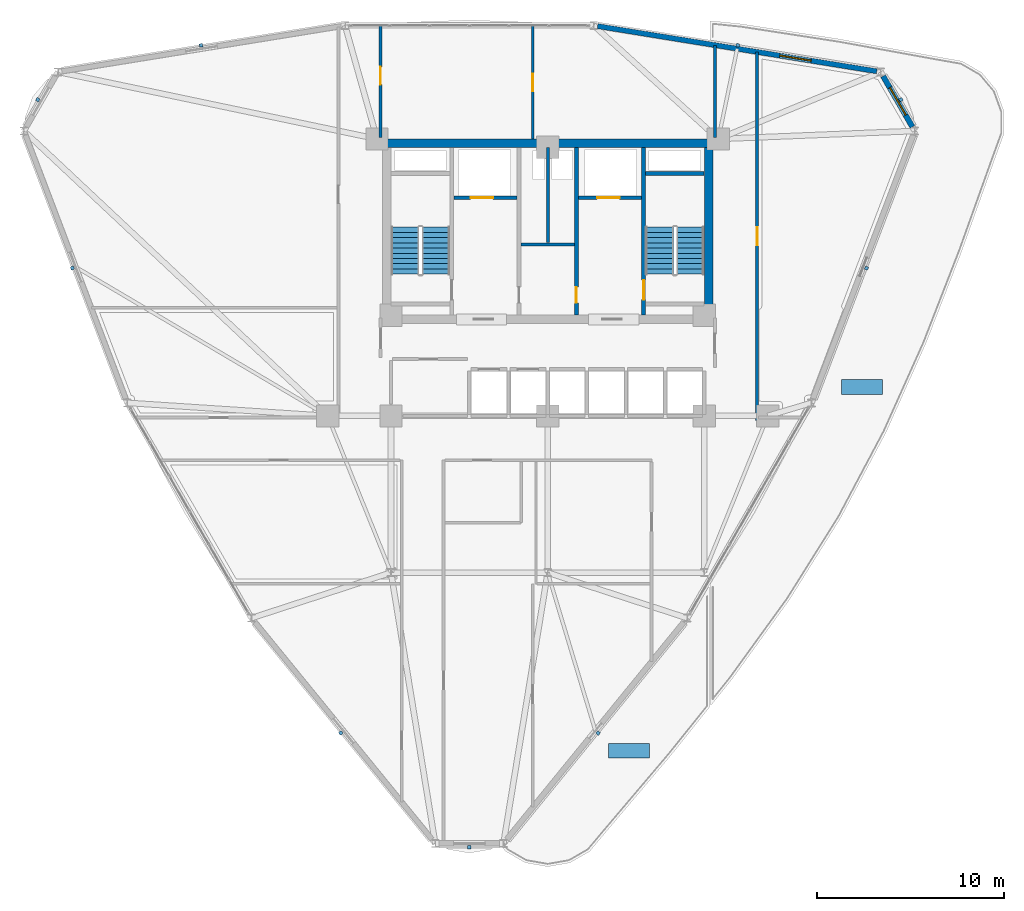
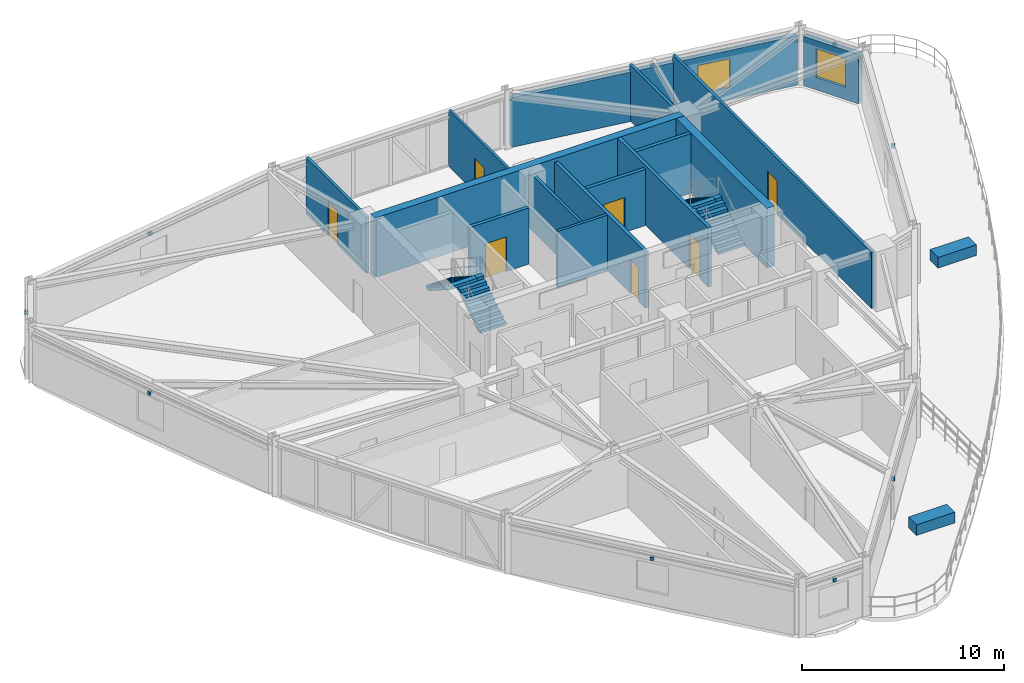
# One storey, part 14 of 18: 15 walls, 11 discrete accessories, 7 doors, 4 stair flights, 2 windows, 9 openings, 2 elements without a shape of their own.
"""IFC4 building model written with IfcOpenShell, lengths in metres."""

from ifc_helpers import new_model, si_unit, derived_unit, direction, frame, frame_2d, origin, origin_2d, place, context, subcontext, project, spatial, polyline, rectangle, outline, extrude, source, transform, mapped, material, layer, layer_set, type_object, element, fill, aggregate, save


model = new_model("IFC4")

# Units and contexts
model_context = context("Model", 3, precision=1e-05, world=origin(), true_north=direction((0.0, 1.0)))
body_context = subcontext(model_context, "Body", "Model", "MODEL_VIEW")
ifc_project = project(units=[si_unit("LENGTHUNIT", "METRE"), si_unit("AREAUNIT", "SQUARE_METRE"), si_unit("VOLUMEUNIT", "CUBIC_METRE"), si_unit("PLANEANGLEUNIT", "RADIAN"), si_unit("MASSUNIT", "GRAM", prefix="KILO"), derived_unit("THERMALTRANSMITTANCEUNIT", [(si_unit("POWERUNIT", "WATT"), 1), (si_unit("LENGTHUNIT", "METRE"), -2), (si_unit("THERMODYNAMICTEMPERATUREUNIT", "KELVIN"), -1)])], contexts=[model_context])

# Site, building, storey
site_placement = place(None, origin())
site = spatial("IfcSite", under=ifc_project, at=site_placement, CompositionType="ELEMENT")
building_placement = place(site_placement, origin())
building = spatial("IfcBuilding", under=site, at=building_placement, Name="Korsvarv Bourse and Concert Hall", CompositionType="ELEMENT")
storey_placement = place(building_placement, frame((0.0, 0.0, 136.199951171875)))
storey = spatial("IfcBuildingStorey", under=building, at=storey_placement, Name="L34", CompositionType="ELEMENT", Elevation=136.199951171875)

# Wall, opening, door
ifc_material_1 = material(Name="Concrete C50/60", Category="concrete")
ifc_layer_1 = layer(ifc_material_1, 0.3798828125)
ifc_layer_set_1 = layer_set([ifc_layer_1], Name="Concrete C50/60")
wall_type_1 = type_object("IfcWallType", Name="WL-CORE-380", PredefinedType="SHEAR", material=ifc_layer_set_1)
wall_1_placement = place(storey_placement, frame((41.139892578125, 37.81005859375, 0.0), z_axis=(0.0, 0.0, 1.0), x_axis=(0.0, 1.0, 0.0)))
wall_1 = element("IfcWall", 1, at=wall_1_placement, inside=storey, type_object=wall_type_1, Name="L34 stair shaft structural wall W-L34-ST2-W", PredefinedType="SHEAR", context=body_context, shape_type="SweptSolid", body=[
    extrude(rectangle(XDim=8.97998046875, YDim=0.199951171875, at=frame_2d((4.489990234375, 0.0))), origin(), (0.0, 0.0, 1.0), 3.60009765625),
])
opening_1_placement = place(wall_1_placement, frame((0.820068359375, 0.0, 0.0)))
opening_1 = element("IfcOpeningElement", 2, at=opening_1_placement, cuts=wall_1, Name="Opening D-01", PredefinedType="OPENING", context=body_context, shape_type="SweptSolid", body=[
    extrude(rectangle(XDim=1.050048828125, YDim=2.10009765625, at=frame_2d((0.52490234375, 1.050048828125))), frame((0.0, 0.10986328125, 0.0), z_axis=(0.0, -1.0, 0.0), x_axis=(1.0, 0.0, 0.0)), (0.0, 0.0, 1.0), 0.219970703125),
])
ifc_material_2 = material(Name="Steel S355 fire door", Category="steel")
door_type_1 = type_object("IfcDoorType", Name="DR-FD60", OperationType="NOTDEFINED", PredefinedType="DOOR", material=ifc_material_2)
door_1_placement = place(opening_1_placement, frame((1.050048828125, 0.0, 0.0), z_axis=(0.0, 0.0, 1.0), x_axis=(-1.0, 0.0, 0.0)))
door_1 = element("IfcDoor", 3, at=door_1_placement, inside=storey, type_object=door_type_1, Name="L34 interior door DR-L34-ST2", OperationType="SINGLE_SWING_RIGHT", OverallHeight=2.10009765625, OverallWidth=1.050048828125, PredefinedType="DOOR", context=body_context, shape_type="SweptSolid", body=[
    extrude(rectangle(XDim=1.050048828125, YDim=2.10009765625, at=frame_2d((0.52490234375, 1.050048828125))), frame((0.0, 0.02490234375, 0.0), z_axis=(0.0, -1.0, 0.0), x_axis=(1.0, 0.0, 0.0)), (0.0, 0.0, 1.0), 0.050048828125),
])
fill(opening_1, door_1)

# Walls
wall_2_placement = place(storey_placement, frame((41.25, 45.39990234375, 0.0), z_axis=(0.0, 0.0, 1.0), x_axis=(1.0, 0.0, 0.0)))
element("IfcWall", 4, at=wall_2_placement, inside=storey, type_object=wall_type_1, Name="L34 stair shaft structural wall W-L34-ST2-N", PredefinedType="SHEAR", context=body_context, shape_type="SweptSolid", body=[
    extrude(rectangle(XDim=3.139892578125, YDim=0.199951171875, at=frame_2d((1.56982421875, 0.0))), origin(), (0.0, 0.0, 1.0), 3.60009765625),
])
ifc_material_3 = material(Name="Concrete C55/67", Category="concrete")
ifc_layer_2 = layer(ifc_material_3, 0.449951171875)
ifc_layer_set_2 = layer_set([ifc_layer_2], Name="Concrete C55/67")
wall_type_2 = type_object("IfcWallType", Name="WL-CORE-450", PredefinedType="SHEAR", material=ifc_layer_set_2)
wall_3_placement = place(storey_placement, frame((27.14990234375, 47.02490234375, 0.0), z_axis=(0.0, 0.0, 1.0), x_axis=(1.0, 0.0, 0.0)))
element("IfcWall", 5, at=wall_3_placement, inside=storey, type_object=wall_type_2, Name="L34 North Core Shear Wall", PredefinedType="SHEAR", context=body_context, shape_type="SweptSolid", body=[
    extrude(rectangle(XDim=17.7001953125, YDim=0.449951171875, at=frame_2d((8.85009765625, 0.0))), origin(), (0.0, 0.0, 1.0), 3.60009765625),
])
wall_4_placement = place(storey_placement, frame((44.625, 37.800048828125, 0.0), z_axis=(0.0, 0.0, 1.0), x_axis=(0.0, 1.0, 0.0)))
element("IfcWall", 6, at=wall_4_placement, inside=storey, type_object=wall_type_2, Name="L34 East Core Shear Wall", PredefinedType="SHEAR", context=body_context, shape_type="SweptSolid", body=[
    extrude(rectangle(XDim=9.0, YDim=0.449951171875, at=frame_2d((4.5, 0.0))), origin(), (0.0, 0.0, 1.0), 3.60009765625),
])

# Wall, opening, window
ifc_material_4 = material(Name="Precast concrete C45/55 with terracotta rainscreen", Category="concrete")
ifc_layer_3 = layer(ifc_material_4, 0.300048828125)
ifc_layer_set_3 = layer_set([ifc_layer_3], Name="Precast concrete C45/55 with terracotta rainscreen")
wall_type_3 = type_object("IfcWallType", Name="WL-EXT-TC1", PredefinedType="SOLIDWALL", material=ifc_layer_set_3)
wall_5_placement = place(storey_placement, frame((55.5576171875, 47.900390625, 0.0), z_axis=(0.0, 0.0, 1.0), x_axis=(-0.499937459732, 0.866061508414, 0.0)))
wall_5 = element("IfcWall", 7, at=wall_5_placement, inside=storey, type_object=wall_type_3, Name="L34 terracotta exterior wall EW-L34-B01", PredefinedType="SOLIDWALL", context=body_context, shape_type="SweptSolid", body=[
    extrude(rectangle(XDim=3.1455078125, YDim=0.300048828125, at=frame_2d((1.57275390625, 0.0))), origin(), (0.0, 0.0, 1.0), 3.0),
])
opening_2_placement = place(wall_5_placement, frame((0.72265625, 0.0, 0.75)))
opening_2 = element("IfcOpeningElement", 8, at=opening_2_placement, cuts=wall_5, Name="Opening W-01", PredefinedType="OPENING", context=body_context, shape_type="SweptSolid", body=[
    extrude(rectangle(XDim=1.699951171875, YDim=1.75, at=frame_2d((0.85009765625, 0.875))), frame((0.0, 0.16015625, 0.0), z_axis=(0.0, -1.0, 0.0), x_axis=(1.0, 0.0, 0.0)), (0.0, 0.0, 1.0), 0.320068359375),
])
ifc_material_5 = material(Name="Thermally broken aluminium frame with triple low-E glass", Category="glass")
window_type = type_object("IfcWindowType", Name="WIN-TW1", PartitioningType="SINGLE_PANEL", PredefinedType="WINDOW", material=ifc_material_5)
window_1_placement = place(opening_2_placement, origin())
window_1 = element("IfcWindow", 9, at=window_1_placement, inside=storey, type_object=window_type, Name="L34 punched facade window W-01", OverallHeight=1.75, OverallWidth=1.699951171875, PartitioningType="SINGLE_PANEL", PredefinedType="WINDOW", context=body_context, shape_type="SweptSolid", body=[
    extrude(rectangle(XDim=1.699951171875, YDim=1.75, at=frame_2d((0.85009765625, 0.875))), frame((0.0, 0.030029296875, 0.0), z_axis=(0.0, -1.0, 0.0), x_axis=(1.0, 0.0, 0.0)), (0.0, 0.0, 1.0), 0.06005859375),
])
fill(opening_2, window_1)

ifc_material_6 = material(Name="Precast concrete C45/55 with fluted terracotta pier", Category="concrete")
ifc_layer_4 = layer(ifc_material_6, 0.280029296875)
ifc_layer_set_4 = layer_set([ifc_layer_4], Name="Precast concrete C45/55 with fluted terracotta pier")
wall_type_4 = type_object("IfcWallType", Name="WL-EXT-TC2", PredefinedType="SOLIDWALL", material=ifc_layer_set_4)
wall_6_placement = place(storey_placement, frame((53.6455078125, 50.881103515625, 0.0), z_axis=(0.0, 0.0, 1.0), x_axis=(-0.987165905884, 0.159698072185, 0.0)))
wall_6 = element("IfcWall", 10, at=wall_6_placement, inside=storey, type_object=wall_type_4, Name="L34 terracotta exterior wall EW-L34-B02", PredefinedType="SOLIDWALL", context=body_context, shape_type="SweptSolid", body=[
    extrude(rectangle(XDim=15.165283203125, YDim=0.280029296875, at=frame_2d((7.58251953125, 0.0))), origin(), (0.0, 0.0, 1.0), 3.0),
])
opening_3_placement = place(wall_6_placement, frame((3.56640625, 0.0, 0.75)))
opening_3 = element("IfcOpeningElement", 11, at=opening_3_placement, cuts=wall_6, Name="Opening W-01", PredefinedType="OPENING", context=body_context, shape_type="SweptSolid", body=[
    extrude(rectangle(XDim=1.699951171875, YDim=1.75, at=frame_2d((0.85009765625, 0.875))), frame((0.0, 0.14990234375, 0.0), z_axis=(0.0, -1.0, 0.0), x_axis=(1.0, 0.0, 0.0)), (0.0, 0.0, 1.0), 0.300048828125),
])
window_2_placement = place(opening_3_placement, origin())
window_2 = element("IfcWindow", 12, at=window_2_placement, inside=storey, type_object=window_type, Name="L34 punched facade window W-01", OverallHeight=1.75, OverallWidth=1.699951171875, PartitioningType="SINGLE_PANEL", PredefinedType="WINDOW", context=body_context, shape_type="SweptSolid", body=[
    extrude(rectangle(XDim=1.699951171875, YDim=1.75, at=frame_2d((0.85009765625, 0.875))), frame((0.0, 0.030029296875, 0.0), z_axis=(0.0, -1.0, 0.0), x_axis=(1.0, 0.0, 0.0)), (0.0, 0.0, 1.0), 0.06005859375),
])
fill(opening_3, window_2)

# Wall, opening, door
ifc_material_7 = material(Name="Reinforced concrete blockwork C35/45 fire wall", Category="concrete")
ifc_layer_5 = layer(ifc_material_7, 0.199951171875)
ifc_layer_set_5 = layer_set([ifc_layer_5], Name="Reinforced concrete blockwork C35/45 fire wall")
wall_type_5 = type_object("IfcWallType", Name="WL-INT-EI120", PredefinedType="PARTITIONING", material=ifc_layer_set_5)
wall_7_placement = place(storey_placement, frame((30.969970703125, 44.10009765625, 0.0), z_axis=(0.0, 0.0, 1.0), x_axis=(1.0, 0.0, 0.0)))
wall_7 = element("IfcWall", 13, at=wall_7_placement, inside=storey, type_object=wall_type_5, Name="L34 interior partition wall W-L34-FF1-S", PredefinedType="PARTITIONING", context=body_context, shape_type="SweptSolid", body=[
    extrude(rectangle(XDim=3.380126953125, YDim=0.199951171875, at=frame_2d((1.68994140625, 0.0))), origin(), (0.0, 0.0, 1.0), 3.400146484375),
])
opening_4_placement = place(wall_7_placement, frame((0.89990234375, 0.0, 0.0)))
opening_4 = element("IfcOpeningElement", 14, at=opening_4_placement, cuts=wall_7, Name="Opening LD-1", PredefinedType="OPENING", context=body_context, shape_type="SweptSolid", body=[
    extrude(rectangle(XDim=1.199951171875, YDim=2.10009765625, at=frame_2d((0.60009765625, 1.050048828125))), frame((0.0, 0.10986328125, 0.0), z_axis=(0.0, -1.0, 0.0), x_axis=(1.0, 0.0, 0.0)), (0.0, 0.0, 1.0), 0.219970703125),
])
ifc_material_8 = material(Name="Stainless Steel S355 firefighting lift landing door", Category="steel")
door_type_2 = type_object("IfcDoorType", Name="DR-LIFT-FF", OperationType="DOUBLE_DOOR_SLIDING", PredefinedType="DOOR", material=ifc_material_8)
door_2_placement = place(opening_4_placement, origin())
door_2 = element("IfcDoor", 15, at=door_2_placement, inside=storey, type_object=door_type_2, Name="L34 lift sliding landing door LD-L34-FF1", OperationType="DOUBLE_DOOR_SLIDING", OverallHeight=2.10009765625, OverallWidth=1.199951171875, PredefinedType="DOOR", context=body_context, shape_type="SweptSolid", body=[
    extrude(rectangle(XDim=1.199951171875, YDim=2.10009765625, at=frame_2d((0.60009765625, 1.050048828125))), frame((0.0, 0.02490234375, 0.0), z_axis=(0.0, -1.0, 0.0), x_axis=(1.0, 0.0, 0.0)), (0.0, 0.0, 1.0), 0.050048828125),
])
fill(opening_4, door_2)

wall_8_placement = place(storey_placement, frame((37.64990234375, 44.10009765625, 0.0), z_axis=(0.0, 0.0, 1.0), x_axis=(1.0, 0.0, 0.0)))
wall_8 = element("IfcWall", 16, at=wall_8_placement, inside=storey, type_object=wall_type_5, Name="L34 interior partition wall W-L34-FF2-S", PredefinedType="PARTITIONING", context=body_context, shape_type="SweptSolid", body=[
    extrude(rectangle(XDim=3.380126953125, YDim=0.199951171875, at=frame_2d((1.68994140625, 0.0))), origin(), (0.0, 0.0, 1.0), 3.400146484375),
])
opening_5_placement = place(wall_8_placement, frame((1.0, 0.0, 0.0)))
opening_5 = element("IfcOpeningElement", 17, at=opening_5_placement, cuts=wall_8, Name="Opening LD-1", PredefinedType="OPENING", context=body_context, shape_type="SweptSolid", body=[
    extrude(rectangle(XDim=1.199951171875, YDim=2.10009765625, at=frame_2d((0.60009765625, 1.050048828125))), frame((0.0, 0.10986328125, 0.0), z_axis=(0.0, -1.0, 0.0), x_axis=(1.0, 0.0, 0.0)), (0.0, 0.0, 1.0), 0.219970703125),
])
door_3_placement = place(opening_5_placement, origin())
door_3 = element("IfcDoor", 18, at=door_3_placement, inside=storey, type_object=door_type_2, Name="L34 lift sliding landing door LD-L34-FF2", OperationType="DOUBLE_DOOR_SLIDING", OverallHeight=2.10009765625, OverallWidth=1.199951171875, PredefinedType="DOOR", context=body_context, shape_type="SweptSolid", body=[
    extrude(rectangle(XDim=1.199951171875, YDim=2.10009765625, at=frame_2d((0.60009765625, 1.050048828125))), frame((0.0, 0.02490234375, 0.0), z_axis=(0.0, -1.0, 0.0), x_axis=(1.0, 0.0, 0.0)), (0.0, 0.0, 1.0), 0.050048828125),
])
fill(opening_5, door_3)

wall_9_placement = place(storey_placement, frame((37.5400390625, 37.81005859375, 0.0), z_axis=(0.0, 0.0, 1.0), x_axis=(0.0, 1.0, 0.0)))
wall_9 = element("IfcWall", 19, at=wall_9_placement, inside=storey, type_object=wall_type_5, Name="L34 interior partition wall W-L34-CSB-E", PredefinedType="PARTITIONING", context=body_context, shape_type="SweptSolid", body=[
    extrude(rectangle(XDim=8.97998046875, YDim=0.199951171875, at=frame_2d((4.489990234375, 0.0))), origin(), (0.0, 0.0, 1.0), 3.400146484375),
])
opening_6_placement = place(wall_9_placement, frame((0.64990234375, 0.0, 0.0)))
opening_6 = element("IfcOpeningElement", 20, at=opening_6_placement, cuts=wall_9, Name="Opening D-05", PredefinedType="OPENING", context=body_context, shape_type="SweptSolid", body=[
    extrude(rectangle(XDim=0.85009765625, YDim=2.050048828125, at=frame_2d((0.425048828125, 1.02490234375))), frame((0.0, 0.10986328125, 0.0), z_axis=(0.0, -1.0, 0.0), x_axis=(1.0, 0.0, 0.0)), (0.0, 0.0, 1.0), 0.219970703125),
])
door_type_3 = type_object("IfcDoorType", Name="DR-FD60-850X2050", OperationType="NOTDEFINED", PredefinedType="DOOR", material=ifc_material_2)
door_4_placement = place(opening_6_placement, origin())
door_4 = element("IfcDoor", 21, at=door_4_placement, inside=storey, type_object=door_type_3, Name="L34 interior door DR-L34-CSB2", OperationType="SINGLE_SWING_RIGHT", OverallHeight=2.050048828125, OverallWidth=0.85009765625, PredefinedType="DOOR", context=body_context, shape_type="SweptSolid", body=[
    extrude(rectangle(XDim=0.85009765625, YDim=2.050048828125, at=frame_2d((0.425048828125, 1.02490234375))), frame((0.0, 0.02490234375, 0.0), z_axis=(0.0, -1.0, 0.0), x_axis=(1.0, 0.0, 0.0)), (0.0, 0.0, 1.0), 0.050048828125),
])
fill(opening_6, door_4)

# Walls
ifc_material_9 = material(Name="Double-stud fire-rated acoustic partition", Category="gypsum")
ifc_layer_6 = layer(ifc_material_9, 0.159912109375)
ifc_layer_set_6 = layer_set([ifc_layer_6], Name="Double-stud fire-rated acoustic partition")
wall_type_6 = type_object("IfcWallType", Name="WL-INT-EI60", PredefinedType="PARTITIONING", material=ifc_layer_set_6)
wall_10_placement = place(storey_placement, frame((34.570068359375, 41.60009765625, 0.0), z_axis=(0.0, 0.0, 1.0), x_axis=(1.0, 0.0, 0.0)))
element("IfcWall", 22, at=wall_10_placement, inside=storey, type_object=wall_type_6, Name="L34 interior partition wall W-L34-K1", PredefinedType="PARTITIONING", context=body_context, shape_type="SweptSolid", body=[
    extrude(rectangle(XDim=2.85986328125, YDim=0.159912109375, at=frame_2d((1.429931640625, 0.0))), origin(), (0.0, 0.0, 1.0), 3.400146484375),
])
wall_11_placement = place(storey_placement, frame((36.0048828125, 41.68994140625, 0.0), z_axis=(0.0, 0.0, 1.0), x_axis=(0.0, 1.0, 0.0)))
element("IfcWall", 23, at=wall_11_placement, inside=storey, type_object=wall_type_6, Name="L34 interior partition wall W-L34-K2", PredefinedType="PARTITIONING", context=body_context, shape_type="SweptSolid", body=[
    extrude(rectangle(XDim=5.10009765625, YDim=0.159912109375, at=frame_2d((2.550048828125, 0.0))), origin(), (0.0, 0.0, 1.0), 3.400146484375),
])

# Wall, opening, door
wall_12_placement = place(storey_placement, frame((47.22509765625, 32.159912109375, 0.0), z_axis=(0.0, 0.0, 1.0), x_axis=(0.0, 1.0, 0.0)))
wall_12 = element("IfcWall", 24, at=wall_12_placement, inside=storey, type_object=wall_type_6, Name="L34 interior partition wall W-L34-TCOR-03", PredefinedType="PARTITIONING", context=body_context, shape_type="SweptSolid", body=[
    extrude(rectangle(XDim=19.73974609375, YDim=0.159912109375, at=frame_2d((9.869873046875, 0.0))), origin(), (0.0, 0.0, 1.0), 3.400146484375),
])
opening_7_placement = place(wall_12_placement, frame((9.39501953125, 0.0, 0.0)))
opening_7 = element("IfcOpeningElement", 25, at=opening_7_placement, cuts=wall_12, Name="Opening D-02", PredefinedType="OPENING", context=body_context, shape_type="SweptSolid", body=[
    extrude(rectangle(XDim=0.949951171875, YDim=2.050048828125, at=frame_2d((0.47509765625, 1.02490234375))), frame((0.0, 0.08984375, 0.0), z_axis=(0.0, -1.0, 0.0), x_axis=(1.0, 0.0, 0.0)), (0.0, 0.0, 1.0), 0.179931640625),
])
ifc_material_10 = material(Name="Timber and steel acoustic fire door", Category="wood")
door_type_4 = type_object("IfcDoorType", Name="DR-FD30", OperationType="NOTDEFINED", PredefinedType="DOOR", material=ifc_material_10)
door_5_placement = place(opening_7_placement, origin())
door_5 = element("IfcDoor", 26, at=door_5_placement, inside=storey, type_object=door_type_4, Name="L34 interior door DR-L34-TCOR-MI81", OperationType="SINGLE_SWING_RIGHT", OverallHeight=2.050048828125, OverallWidth=0.949951171875, PredefinedType="DOOR", context=body_context, shape_type="SweptSolid", body=[
    extrude(rectangle(XDim=0.949951171875, YDim=2.050048828125, at=frame_2d((0.47509765625, 1.02490234375))), frame((0.0, 0.02490234375, 0.0), z_axis=(0.0, -1.0, 0.0), x_axis=(1.0, 0.0, 0.0)), (0.0, 0.0, 1.0), 0.050048828125),
])
fill(opening_7, door_5)

wall_13_placement = place(storey_placement, frame((27.034912109375, 47.340087890625, 0.0), z_axis=(0.0, 0.0, 1.0), x_axis=(0.0, 1.0, 0.0)))
wall_13 = element("IfcWall", 27, at=wall_13_placement, inside=storey, type_object=wall_type_6, Name="L34 interior partition wall W-L34-TCOR-09", PredefinedType="PARTITIONING", context=body_context, shape_type="SweptSolid", body=[
    extrude(rectangle(XDim=5.976806640625, YDim=0.159912109375, at=frame_2d((2.98828125, 0.0))), origin(), (0.0, 0.0, 1.0), 3.400146484375),
])
opening_8_placement = place(wall_13_placement, frame((2.826904296875, 0.0, 0.0)))
opening_8 = element("IfcOpeningElement", 28, at=opening_8_placement, cuts=wall_13, Name="Opening D-02", PredefinedType="OPENING", context=body_context, shape_type="SweptSolid", body=[
    extrude(rectangle(XDim=0.949951171875, YDim=2.050048828125, at=frame_2d((0.47509765625, 1.02490234375))), frame((0.0, 0.08984375, 0.0), z_axis=(0.0, -1.0, 0.0), x_axis=(1.0, 0.0, 0.0)), (0.0, 0.0, 1.0), 0.179931640625),
])
door_6_placement = place(opening_8_placement, origin())
door_6 = element("IfcDoor", 29, at=door_6_placement, inside=storey, type_object=door_type_4, Name="L34 interior door DR-L34-TCOR-RM22", OperationType="SINGLE_SWING_RIGHT", OverallHeight=2.050048828125, OverallWidth=0.949951171875, PredefinedType="DOOR", context=body_context, shape_type="SweptSolid", body=[
    extrude(rectangle(XDim=0.949951171875, YDim=2.050048828125, at=frame_2d((0.47509765625, 1.02490234375))), frame((0.0, 0.02490234375, 0.0), z_axis=(0.0, -1.0, 0.0), x_axis=(1.0, 0.0, 0.0)), (0.0, 0.0, 1.0), 0.050048828125),
])
fill(opening_8, door_6)

# Wall
wall_14_placement = place(storey_placement, frame((44.965087890625, 47.340087890625, 0.0), z_axis=(0.0, 0.0, 1.0), x_axis=(0.0, 1.0, 0.0)))
element("IfcWall", 30, at=wall_14_placement, inside=storey, type_object=wall_type_6, Name="L34 interior partition wall W-L34-TCOR-10", PredefinedType="PARTITIONING", context=body_context, shape_type="SweptSolid", body=[
    extrude(rectangle(XDim=4.92529296875, YDim=0.159912109375, at=frame_2d((2.462646484375, 0.0))), origin(), (0.0, 0.0, 1.0), 3.400146484375),
])

# Wall, opening, door
ifc_material_11 = material(Name="Insulated steel-stud office acoustic partition", Category="gypsum")
ifc_layer_7 = layer(ifc_material_11, 0.139892578125)
ifc_layer_set_7 = layer_set([ifc_layer_7], Name="Insulated steel-stud office acoustic partition")
wall_type_7 = type_object("IfcWallType", Name="WL-INT-P1", PredefinedType="PARTITIONING", material=ifc_layer_set_7)
wall_15_placement = place(storey_placement, frame((35.205078125, 47.251953125, 0.0), z_axis=(0.0, 0.0, 1.0), x_axis=(0.0, 1.0, 0.0)))
wall_15 = element("IfcWall", 31, at=wall_15_placement, inside=storey, type_object=wall_type_7, Name="L34 interior partition wall W-L34-TCOR-17", PredefinedType="PARTITIONING", context=body_context, shape_type="SweptSolid", body=[
    extrude(rectangle(XDim=6.06494140625, YDim=0.139892578125, at=frame_2d((3.032470703125, 0.0))), origin(), (0.0, 0.0, 1.0), 3.400146484375),
])
opening_9_placement = place(wall_15_placement, frame((2.5576171875, 0.0, 0.0)))
opening_9 = element("IfcOpeningElement", 32, at=opening_9_placement, cuts=wall_15, Name="Opening D-03", PredefinedType="OPENING", context=body_context, shape_type="SweptSolid", body=[
    extrude(rectangle(XDim=0.949951171875, YDim=2.050048828125, at=frame_2d((0.47509765625, 1.02490234375))), frame((0.0, 0.080078125, 0.0), z_axis=(0.0, -1.0, 0.0), x_axis=(1.0, 0.0, 0.0)), (0.0, 0.0, 1.0), 0.159912109375),
])
ifc_material_12 = material(Name="Nordic oak acoustic office door", Category="wood")
door_type_5 = type_object("IfcDoorType", Name="DR-INT-1", OperationType="NOTDEFINED", PredefinedType="DOOR", material=ifc_material_12)
door_7_placement = place(opening_9_placement, origin())
door_7 = element("IfcDoor", 33, at=door_7_placement, inside=storey, type_object=door_type_5, Name="L34 interior door DR-L34-TCOR-RM33", OperationType="SINGLE_SWING_RIGHT", OverallHeight=2.050048828125, OverallWidth=0.949951171875, PredefinedType="DOOR", context=body_context, shape_type="SweptSolid", body=[
    extrude(rectangle(XDim=0.949951171875, YDim=2.050048828125, at=frame_2d((0.47509765625, 1.02490234375))), frame((0.0, 0.02490234375, 0.0), z_axis=(0.0, -1.0, 0.0), x_axis=(1.0, 0.0, 0.0)), (0.0, 0.0, 1.0), 0.050048828125),
])
fill(opening_9, door_7)

# Stair, stair flights
ifc_material_13 = material(Name="Precast concrete C45/55", Category="concrete")
stair_type = type_object("IfcStairType", Name="STR-TYPE-04", PredefinedType="HALF_TURN_STAIR", material=ifc_material_13)
stair_1_placement = place(storey_placement, origin())
stair_1 = element("IfcStair", 34, at=stair_1_placement, inside=storey, type_object=stair_type, Name="L34 Tower West Exit Stair ST-T1", PredefinedType="HALF_TURN_STAIR")
stair_flight_type = type_object("IfcStairFlightType", Name="FLT-TYPE-04", PredefinedType="STRAIGHT", material=ifc_material_13)
stair_flight_1_placement = place(storey_placement, frame((30.010009765625, 40.0, 0.0), z_axis=(0.0, 0.0, 1.0), x_axis=(0.0, 1.0, 0.0)))
stair_flight_1 = element("IfcStairFlight", 35, at=stair_flight_1_placement, type_object=stair_flight_type, Name="ST-T1 flight 1", NumberOfRisers=10, NumberOfTreads=9, PredefinedType="STRAIGHT", RiserHeight=0.18, TreadLength=0.28, context=body_context, shape_type="SweptSolid", body=[
    extrude(outline(polyline([(0.0, 0.0), (0.0, 0.179931640625), (0.280029296875, 0.179931640625), (0.280029296875, 0.360107421875), (0.56005859375, 0.360107421875), (0.56005859375, 0.5400390625), (0.840087890625, 0.5400390625), (0.840087890625, 0.719970703125), (1.1201171875, 0.719970703125), (1.1201171875, 0.89990234375), (1.39990234375, 0.89990234375), (1.39990234375, 1.080078125), (1.679931640625, 1.080078125), (1.679931640625, 1.260009765625), (1.9599609375, 1.260009765625), (1.9599609375, 1.43994140625), (2.239990234375, 1.43994140625), (2.239990234375, 1.6201171875), (2.52001953125, 1.6201171875), (2.52001953125, 1.800048828125), (2.52001953125, 1.44189453125), (0.277099609375, 0.0), (0.0, 0.0)])), frame((0.0, 0.75, 0.0), z_axis=(0.0, -1.0, 0.0), x_axis=(1.0, 0.0, 0.0)), (0.0, 0.0, 1.0), 1.5),
])
stair_flight_2_placement = place(storey_placement, frame((28.35009765625, 42.52001953125, 1.800048828125), z_axis=(0.0, 0.0, 1.0), x_axis=(0.0, -1.0, 0.0)))
stair_flight_2 = element("IfcStairFlight", 36, at=stair_flight_2_placement, type_object=stair_flight_type, Name="ST-T1 flight 2", NumberOfRisers=10, NumberOfTreads=9, PredefinedType="STRAIGHT", RiserHeight=0.18, TreadLength=0.28, context=body_context, shape_type="SweptSolid", body=[
    extrude(outline(polyline([(0.0, 0.0), (0.0, 0.179931640625), (0.280029296875, 0.179931640625), (0.280029296875, 0.360107421875), (0.56005859375, 0.360107421875), (0.56005859375, 0.5400390625), (0.840087890625, 0.5400390625), (0.840087890625, 0.719970703125), (1.1201171875, 0.719970703125), (1.1201171875, 0.89990234375), (1.39990234375, 0.89990234375), (1.39990234375, 1.080078125), (1.679931640625, 1.080078125), (1.679931640625, 1.260009765625), (1.9599609375, 1.260009765625), (1.9599609375, 1.43994140625), (2.239990234375, 1.43994140625), (2.239990234375, 1.6201171875), (2.52001953125, 1.6201171875), (2.52001953125, 1.800048828125), (2.52001953125, 1.44189453125), (0.277099609375, 0.0), (0.0, 0.0)])), frame((0.0, 0.75, 0.0), z_axis=(0.0, -1.0, 0.0), x_axis=(1.0, 0.0, 0.0)), (0.0, 0.0, 1.0), 1.5),
])
aggregate(stair_1, [stair_flight_1, stair_flight_2])

stair_2_placement = place(storey_placement, origin())
stair_2 = element("IfcStair", 37, at=stair_2_placement, inside=storey, type_object=stair_type, Name="L34 Tower East Exit Stair ST-T2", PredefinedType="HALF_TURN_STAIR")
stair_flight_3_placement = place(storey_placement, frame((43.64990234375, 40.0, 0.0), z_axis=(0.0, 0.0, 1.0), x_axis=(0.0, 1.0, 0.0)))
stair_flight_3 = element("IfcStairFlight", 38, at=stair_flight_3_placement, type_object=stair_flight_type, Name="ST-T2 flight 1", NumberOfRisers=10, NumberOfTreads=9, PredefinedType="STRAIGHT", RiserHeight=0.18, TreadLength=0.28, context=body_context, shape_type="SweptSolid", body=[
    extrude(outline(polyline([(0.0, 0.0), (0.0, 0.179931640625), (0.280029296875, 0.179931640625), (0.280029296875, 0.360107421875), (0.56005859375, 0.360107421875), (0.56005859375, 0.5400390625), (0.840087890625, 0.5400390625), (0.840087890625, 0.719970703125), (1.1201171875, 0.719970703125), (1.1201171875, 0.89990234375), (1.39990234375, 0.89990234375), (1.39990234375, 1.080078125), (1.679931640625, 1.080078125), (1.679931640625, 1.260009765625), (1.9599609375, 1.260009765625), (1.9599609375, 1.43994140625), (2.239990234375, 1.43994140625), (2.239990234375, 1.6201171875), (2.52001953125, 1.6201171875), (2.52001953125, 1.800048828125), (2.52001953125, 1.44189453125), (0.277099609375, 0.0), (0.0, 0.0)])), frame((0.0, 0.75, 0.0), z_axis=(0.0, -1.0, 0.0), x_axis=(1.0, 0.0, 0.0)), (0.0, 0.0, 1.0), 1.5),
])
stair_flight_4_placement = place(storey_placement, frame((41.989990234375, 42.52001953125, 1.800048828125), z_axis=(0.0, 0.0, 1.0), x_axis=(0.0, -1.0, 0.0)))
stair_flight_4 = element("IfcStairFlight", 39, at=stair_flight_4_placement, type_object=stair_flight_type, Name="ST-T2 flight 2", NumberOfRisers=10, NumberOfTreads=9, PredefinedType="STRAIGHT", RiserHeight=0.18, TreadLength=0.28, context=body_context, shape_type="SweptSolid", body=[
    extrude(outline(polyline([(0.0, 0.0), (0.0, 0.179931640625), (0.280029296875, 0.179931640625), (0.280029296875, 0.360107421875), (0.56005859375, 0.360107421875), (0.56005859375, 0.5400390625), (0.840087890625, 0.5400390625), (0.840087890625, 0.719970703125), (1.1201171875, 0.719970703125), (1.1201171875, 0.89990234375), (1.39990234375, 0.89990234375), (1.39990234375, 1.080078125), (1.679931640625, 1.080078125), (1.679931640625, 1.260009765625), (1.9599609375, 1.260009765625), (1.9599609375, 1.43994140625), (2.239990234375, 1.43994140625), (2.239990234375, 1.6201171875), (2.52001953125, 1.6201171875), (2.52001953125, 1.800048828125), (2.52001953125, 1.44189453125), (0.277099609375, 0.0), (0.0, 0.0)])), frame((0.0, 0.75, 0.0), z_axis=(0.0, -1.0, 0.0), x_axis=(1.0, 0.0, 0.0)), (0.0, 0.0, 1.0), 1.5),
])
aggregate(stair_2, [stair_flight_3, stair_flight_4])

# Discrete accessories
ifc_material_14 = material(Name="Stainless Steel S355 facade outrigger bracket", Category="steel")
discrete_accessory_type_1 = type_object("IfcDiscreteAccessoryType", Name="ACC-BRK-1", PredefinedType="BRACKET", material=ifc_material_14)
shared_shape_1 = source(origin(), body_context, "Body", "SweptSolid", [
    extrude(rectangle(XDim=0.179931640625, YDim=0.179931640625, at=origin_2d()), origin(), (0.0, 0.0, 1.0), 0.199951171875),
])
for number, where, z_axis, x_axis, name in (
    (40, (54.935791015625, 49.357421875, 2.740234375), (0.0, 0.0, 1.0), (-0.5, 0.866025403784, 0.0), "L34 terracotta sunshade bracket EW-L34-B01"),
    (41, (46.188720703125, 52.269775390625, 2.740234375), (0.0, 0.0, 1.0), (-0.987164154569, 0.159708897478, 0.0), "L34 terracotta sunshade bracket EW-L34-B02"),
    (42, (17.4111328125, 52.269775390625, 2.68994140625), (0.0, 0.0, 1.0), (-0.987164154569, -0.159708897478, 0.0), "L34 terracotta sunshade bracket EW-L34-B04"),
    (43, (8.6640625, 49.357421875, 2.740234375), (0.0, 0.0, 1.0), (-0.5, -0.866025403784, 0.0), "L34 terracotta sunshade bracket EW-L34-B05"),
    (44, (10.515625, 40.326416015625, 2.68994140625), (0.0, 0.0, 1.0), (0.355270114859, -0.934763684301, 0.0), "L34 terracotta sunshade bracket EW-L34-B06"),
    (45, (24.904296875, 15.404052734375, 2.740234375), (0.0, 0.0, 1.0), (0.631894039711, -0.775054786824, 0.0), "L34 terracotta sunshade bracket EW-L34-B08"),
    (46, (31.800048828125, 9.284912109375, 2.740234375), (0.0, 0.0, 1.0), (1.0, 0.0, 0.0), "L34 terracotta sunshade bracket EW-L34-B09"),
    (47, (38.703369140625, 15.397705078125, 2.740234375), (0.0, 0.0, 1.0), (0.631894039711, 0.775054786824, 0.0), "L34 terracotta sunshade bracket EW-L34-B10"),
    (48, (53.09375, 40.32275390625, 2.740234375), (0.0, 0.0, 1.0), (0.355270114859, 0.934763684301, 0.0), "L34 terracotta sunshade bracket EW-L34-B12"),
):
    element("IfcDiscreteAccessory", number, at=place(storey_placement, frame(where, z_axis=z_axis, x_axis=x_axis)), inside=storey, type_object=discrete_accessory_type_1, Name=name, PredefinedType="BRACKET", context=body_context, shape_type="MappedRepresentation", body=[
        mapped(shared_shape_1, transform((0.0, 0.0, 0.0), scale=1.0)),
    ])
ifc_material_15 = material(Name="Architectural precast concrete C45/55 with terracotta facing", Category="concrete")
discrete_accessory_type_2 = type_object("IfcDiscreteAccessoryType", Name="ACC-PLN-1", PredefinedType="USERDEFINED", material=ifc_material_15)
shared_shape_2 = source(origin(), body_context, "Body", "SweptSolid", [
    extrude(rectangle(XDim=2.199951171875, YDim=0.800048828125, at=origin_2d()), origin(), (0.0, 0.0, 1.0), 0.64990234375),
])
for number, where, z_axis, x_axis, name in (
    (49, (52.8525390625, 33.943603515625, 0.0), (0.0, 0.0, 1.0), (1.0, 0.0, 0.0), "L34 landscaped terracotta planter 1"),
    (50, (40.36474609375, 14.449951171875, 0.0), (0.0, 0.0, 1.0), (1.0, 0.0, 0.0), "L34 landscaped terracotta planter 1"),
):
    element("IfcDiscreteAccessory", number, at=place(storey_placement, frame(where, z_axis=z_axis, x_axis=x_axis)), inside=storey, type_object=discrete_accessory_type_2, Name=name, ObjectType="PLANTER", PredefinedType="USERDEFINED", context=body_context, shape_type="MappedRepresentation", body=[
        mapped(shared_shape_2, transform((0.0, 0.0, 0.0), scale=1.0)),
    ])

save(model, "model.ifc")
